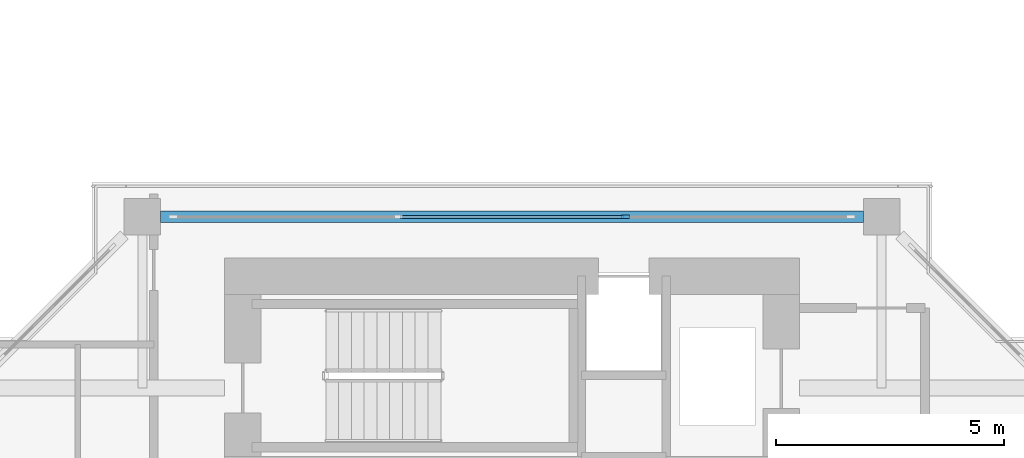
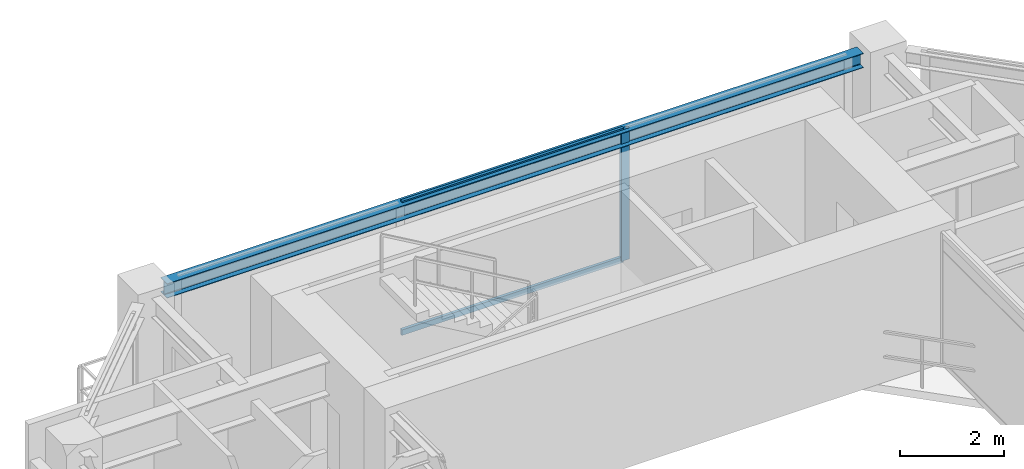
# One storey, part 9 of 23: 3 members, 1 beam, 1 element without a shape of its own.
"""IFC4 building model written with IfcOpenShell, lengths in metres."""

from ifc_helpers import new_model, si_unit, direction, frame, origin, origin_2d, place, context, subcontext, project, spatial, rectangle, i_section, extrude, source, transform, mapped, material, layer, layer_set, material_profile, profile_set, type_object, element, aggregate, save


model = new_model("IFC4")

# Units and contexts
model_context = context("Model", 3, precision=1e-05, world=origin(), true_north=direction((0.0, 1.0)))
body_context = subcontext(model_context, "Body", "Model", "MODEL_VIEW")
ifc_project = project(units=[si_unit("LENGTHUNIT", "METRE"), si_unit("AREAUNIT", "SQUARE_METRE"), si_unit("VOLUMEUNIT", "CUBIC_METRE"), si_unit("PLANEANGLEUNIT", "RADIAN"), si_unit("MASSUNIT", "GRAM", prefix="KILO"), si_unit("THERMODYNAMICTEMPERATUREUNIT", "KELVIN"), si_unit("POWERUNIT", "WATT")], contexts=[model_context])

# Site, building, storey
site_placement = place(None, origin())
site = spatial("IfcSite", under=ifc_project, at=site_placement, CompositionType="ELEMENT")
building_placement = place(site_placement, origin())
building = spatial("IfcBuilding", under=site, at=building_placement, Name="Qiaomeng Ring Towers", CompositionType="ELEMENT")
storey_placement = place(building_placement, frame((0.0, 0.0, 100.25)))
storey = spatial("IfcBuildingStorey", under=building, at=storey_placement, Name="L28", CompositionType="ELEMENT", Elevation=100.25)

# Beam
ifc_material_1 = material(Name="Steel Q355B", Category="steel")
ifc_material_profile_1 = material_profile(ifc_material_1, i_section(OverallWidth=0.25, OverallDepth=0.340087890625, WebThickness=0.009033203125, FlangeThickness=0.013916015625, FilletRadius=0.02001953125, at=origin_2d()), Name="HM 340x250x9x14")
ifc_profile_set_1 = profile_set([ifc_material_profile_1], Name="Steel Q355B")
beam_type = type_object("IfcBeamType", Name="STR-BM-HM340", PredefinedType="SPANDREL", material=ifc_profile_set_1)
shared_shape_1 = source(origin(), body_context, "Body", "SweptSolid", [
    extrude(i_section(OverallWidth=0.25, OverallDepth=0.340087890625, WebThickness=0.009033203125, FlangeThickness=0.013916015625, FilletRadius=0.02001953125, at=origin_2d()), origin(), (0.0, 0.0, 1.0), 15.40185546875),
])
beam_placement = place(storey_placement, frame((68.200927734375, 34.85009765625, 2.89990234375), z_axis=(-1.0, 0.0, 0.0), x_axis=(0.0, -1.0, 0.0)))
element("IfcBeam", 1, at=beam_placement, inside=storey, type_object=beam_type, Name="L28 beam STR-SP-L28-T2-N2-N1", PredefinedType="SPANDREL", context=body_context, shape_type="MappedRepresentation", body=[
    mapped(shared_shape_1, transform((0.0, 0.0, 0.0), x_axis=(1.0, 0.0, 0.0), y_axis=(0.0, 1.0, 0.0), z_axis=(0.0, 0.0, 1.0), scale=1.0)),
])

# Curtain wall, members
ifc_material_2 = material(Name="Fluorocarbon dark-grey aluminium", Category="aluminium")
ifc_layer = layer(ifc_material_2, 0.14990234375, Name="Fluorocarbon dark-grey aluminium")
ifc_layer_set = layer_set([ifc_layer], Name="Fluorocarbon dark-grey aluminium")
curtain_wall_type = type_object("IfcCurtainWallType", Name="ARC-CW-5", PredefinedType="NOTDEFINED", material=ifc_layer_set)
curtain_wall_placement = place(storey_placement, origin())
curtain_wall = element("IfcCurtainWall", 2, at=curtain_wall_placement, inside=storey, type_object=curtain_wall_type, Name="L28 Curtain Wall CW5", PredefinedType="NOTDEFINED")
ifc_material_profile_2 = material_profile(ifc_material_2, rectangle(XDim=0.070068359375, YDim=0.179931640625, at=origin_2d()), Name="ALU MULL 70x180")
ifc_profile_set_2 = profile_set([ifc_material_profile_2], Name="Fluorocarbon dark-grey aluminium")
member_type_1 = type_object("IfcMemberType", Name="ARC-CWM-160", PredefinedType="MULLION", material=ifc_profile_set_2)
shared_shape_2 = source(origin(), body_context, "Body", "SweptSolid", [
    extrude(rectangle(XDim=0.070068359375, YDim=0.179931640625, at=origin_2d()), origin(), (0.0, 0.0, 1.0), 3.070068359375),
])
member_1_placement = place(storey_placement, frame((62.986572265625, 34.85009765625, 0.0), z_axis=(0.0, 0.0, 1.0), x_axis=(0.0, 1.0, 0.0)))
member_1 = element("IfcMember", 3, at=member_1_placement, type_object=member_type_1, Name="CW5 mullion 3", PredefinedType="MULLION", context=body_context, shape_type="MappedRepresentation", body=[
    mapped(shared_shape_2, transform((0.0, 0.0, 0.0), x_axis=(1.0, 0.0, 0.0), y_axis=(0.0, 1.0, 0.0), z_axis=(0.0, 0.0, 1.0), scale=1.0)),
])
ifc_material_profile_3 = material_profile(ifc_material_2, rectangle(XDim=0.06494140625, YDim=0.1298828125, at=origin_2d()), Name="ALU TRAN 65x130")
ifc_profile_set_3 = profile_set([ifc_material_profile_3], Name="Fluorocarbon dark-grey aluminium")
member_type_2 = type_object("IfcMemberType", Name="ARC-CWT-120", PredefinedType="USERDEFINED", material=ifc_profile_set_3)
shared_shape_3 = source(origin(), body_context, "Body", "SweptSolid", [
    extrude(rectangle(XDim=0.06494140625, YDim=0.1298828125, at=origin_2d()), origin(), (0.0, 0.0, 1.0), 4.9033203125),
])
member_2_placement = place(storey_placement, frame((58.04833984375, 34.85009765625, 0.032470703125), z_axis=(1.0, 0.0, 0.0), x_axis=(0.0, 1.0, 0.0)))
member_2 = element("IfcMember", 4, at=member_2_placement, type_object=member_type_2, Name="CW5 transom 2.1", ObjectType="TRANSOM", PredefinedType="USERDEFINED", context=body_context, shape_type="MappedRepresentation", body=[
    mapped(shared_shape_3, transform((0.0, 0.0, 0.0), x_axis=(1.0, 0.0, 0.0), y_axis=(0.0, 1.0, 0.0), z_axis=(0.0, 0.0, 1.0), scale=1.0)),
])
member_3_placement = place(storey_placement, frame((58.04833984375, 34.85009765625, 3.03759765625), z_axis=(1.0, 0.0, 0.0), x_axis=(0.0, 1.0, 0.0)))
member_3 = element("IfcMember", 5, at=member_3_placement, type_object=member_type_2, Name="CW5 transom 2.2", ObjectType="TRANSOM", PredefinedType="USERDEFINED", context=body_context, shape_type="MappedRepresentation", body=[
    mapped(shared_shape_3, transform((0.0, 0.0, 0.0), x_axis=(1.0, 0.0, 0.0), y_axis=(0.0, 1.0, 0.0), z_axis=(0.0, 0.0, 1.0), scale=1.0)),
])
aggregate(curtain_wall, [member_1, member_2, member_3])

save(model, "model.ifc")
